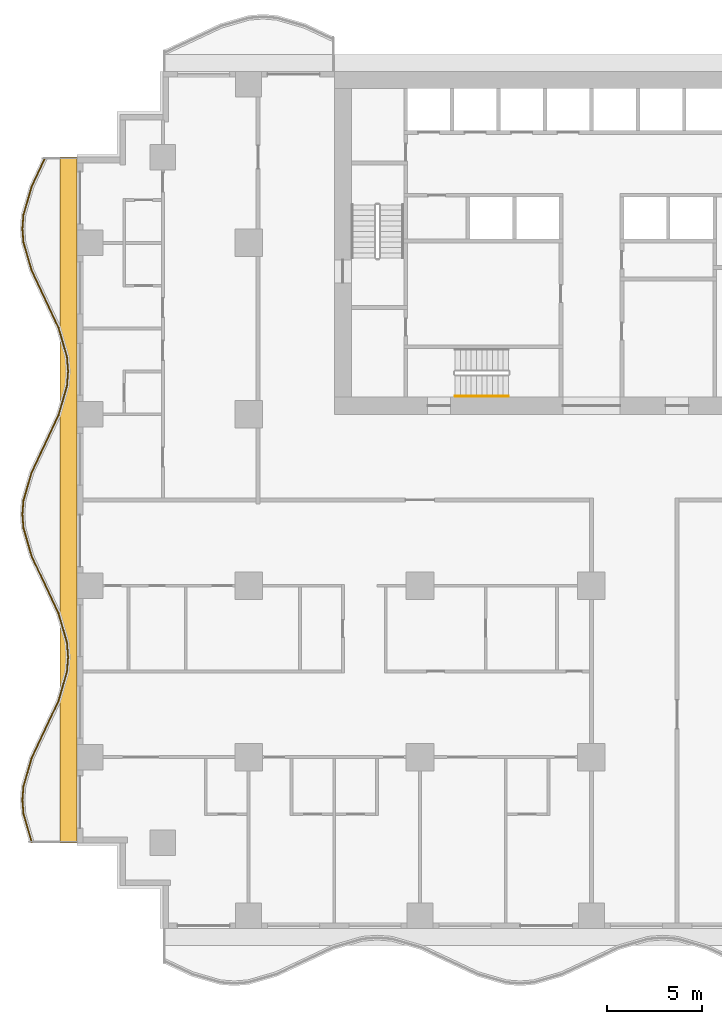
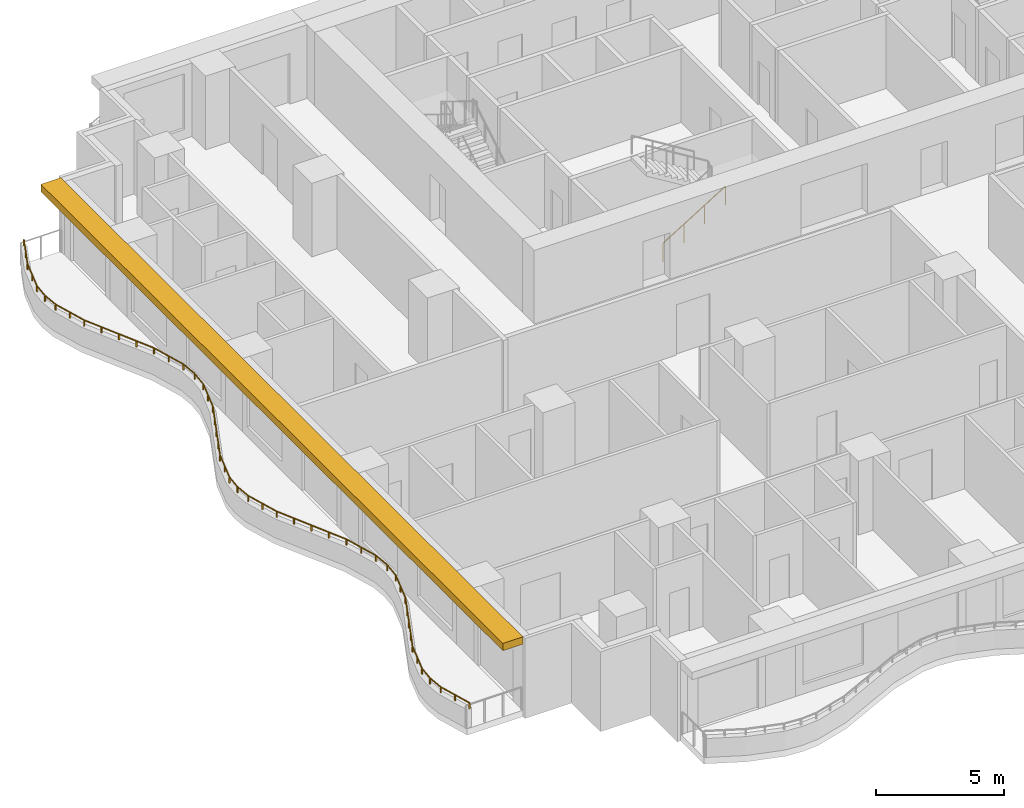
# One storey, part 8 of 13: 2 railings, 1 shading device.
"""IFC4 building model written with IfcOpenShell, lengths in metres."""

from ifc_helpers import new_model, si_unit, direction, frame, origin, origin_2d, place, context, subcontext, project, spatial, polyline, rectangle, circle, outline, extrude, material, layer, layer_set, type_object, element, save


model = new_model("IFC4")

# Units and contexts
model_context = context("Model", 3, precision=1e-05, world=origin(), true_north=direction((0.0, 1.0)))
body_context = subcontext(model_context, "Body", "Model", "MODEL_VIEW")
ifc_project = project(units=[si_unit("LENGTHUNIT", "METRE"), si_unit("AREAUNIT", "SQUARE_METRE"), si_unit("VOLUMEUNIT", "CUBIC_METRE"), si_unit("PLANEANGLEUNIT", "RADIAN"), si_unit("MASSUNIT", "GRAM", prefix="KILO")], contexts=[model_context])

# Site, building, storey
site_placement = place(None, origin())
site = spatial("IfcSite", under=ifc_project, at=site_placement, CompositionType="ELEMENT")
building_placement = place(site_placement, origin())
building = spatial("IfcBuilding", under=site, at=building_placement, Name="Orbiselva Terraces", CompositionType="ELEMENT")
storey_placement = place(building_placement, frame((0.0, 0.0, 77.0)))
storey = spatial("IfcBuildingStorey", under=building, at=storey_placement, Name="L19", CompositionType="ELEMENT", Elevation=77.0)

# Railings
ifc_material_1 = material(Name="Stainless steel", Category="steel")
railing_type_1 = type_object("IfcRailingType", Name="CORE-HANDRAIL-900", PredefinedType="HANDRAIL", material=ifc_material_1)
railing_1_placement = place(storey_placement, frame((-7.15, 5.45, 0.172727)))
element("IfcRailing", 1, at=railing_1_placement, inside=storey, type_object=railing_type_1, Name="L19 S3 stair handrail 1", PredefinedType="HANDRAIL", context=body_context, shape_type="SweptSolid", body=[
    extrude(circle(Radius=0.024, at=origin_2d()), frame((0.0, 0.0, 0.876), z_axis=(0.851088519012, 0.0, 0.52502222125), x_axis=(0.0, 1.0, 0.0)), (0.0, 0.0, 1.0), 3.289905),
    extrude(circle(Radius=0.021, at=origin_2d()), origin(), (0.0, 0.0, 1.0), 0.852),
    extrude(circle(Radius=0.021, at=origin_2d()), frame((0.933333, 0.0, 0.575758)), (0.0, 0.0, 1.0), 0.852),
    extrude(circle(Radius=0.021, at=origin_2d()), frame((1.866667, 0.0, 1.151515)), (0.0, 0.0, 1.0), 0.852),
    extrude(circle(Radius=0.021, at=origin_2d()), frame((2.8, 0.0, 1.727273)), (0.0, 0.0, 1.0), 0.852),
])
ifc_material_2 = material(Name="Bonded two-ply safety glass balustrade, stainless steel posts", Category="steel")
railing_type_2 = type_object("IfcRailingType", Name="ENV-BALUSTRADE-1200", PredefinedType="BALUSTRADE", material=ifc_material_2)
railing_2_placement = place(storey_placement, frame((-28.686882, 17.946809, 0.9)))
element("IfcRailing", 2, at=railing_2_placement, inside=storey, type_object=railing_type_2, Name="Balcony balustrade L19 W", PredefinedType="BALUSTRADE", context=body_context, shape_type="SweptSolid", body=[
    extrude(outline(polyline([(0.028868, 0.0), (0.014434, 0.025), (-0.014434, 0.025), (-0.028868, 0.0), (-0.014434, -0.025), (0.014434, -0.025), (0.028868, 0.0)])), frame((0.0, 0.0, 0.275), z_axis=(-0.425529912322, -0.904944359461, 0.0), x_axis=(0.904944359461, -0.425529912322, 0.0)), (0.0, 0.0, 1.0), 1.647746),
    extrude(outline(polyline([(0.028868, 0.0), (0.014434, 0.025), (-0.014434, 0.025), (-0.028868, 0.0), (-0.014434, -0.025), (0.014434, -0.025), (0.028868, 0.0)])), frame((-0.701165, -1.491118, 0.275), z_axis=(-0.279071528957, -0.960270317007, 0.0), x_axis=(0.960270317007, -0.279071528957, 0.0)), (0.0, 0.0, 1.0), 1.539408),
    extrude(outline(polyline([(0.028868, 0.0), (0.014434, 0.025), (-0.014434, 0.025), (-0.028868, 0.0), (-0.014434, -0.025), (0.014434, -0.025), (0.028868, 0.0)])), frame((-1.13077, -2.969366, 0.275), z_axis=(-0.078069536776, -0.996947916106, 0.0), x_axis=(0.996947916106, -0.078069536776, 0.0)), (0.0, 0.0, 1.0), 0.72967),
    extrude(outline(polyline([(0.028868, 0.0), (0.014434, 0.025), (-0.014434, 0.025), (-0.028868, 0.0), (-0.014434, -0.025), (0.014434, -0.025), (0.028868, 0.0)])), frame((-1.187735, -3.696809, 0.275), z_axis=(0.078069536776, -0.996947916106, 0.0), x_axis=(0.996947916106, 0.078069536776, 0.0)), (0.0, 0.0, 1.0), 0.72967),
    extrude(outline(polyline([(0.028868, 0.0), (0.014434, 0.025), (-0.014434, 0.025), (-0.028868, 0.0), (-0.014434, -0.025), (0.014434, -0.025), (0.028868, 0.0)])), frame((-1.13077, -4.424252, 0.275), z_axis=(0.279071528957, -0.960270317007, 0.0), x_axis=(0.960270317007, 0.279071528957, 0.0)), (0.0, 0.0, 1.0), 1.539408),
    extrude(outline(polyline([(0.028868, 0.0), (0.014434, 0.025), (-0.014434, 0.025), (-0.028868, 0.0), (-0.014434, -0.025), (0.014434, -0.025), (0.028868, 0.0)])), frame((-0.701165, -5.9025, 0.275), z_axis=(0.425529912322, -0.904944359461, 0.0), x_axis=(0.904944359461, 0.425529912322, 0.0)), (0.0, 0.0, 1.0), 1.647746),
    extrude(outline(polyline([(0.028868, 0.0), (0.014434, 0.025), (-0.014434, 0.025), (-0.028868, 0.0), (-0.014434, -0.025), (0.014434, -0.025), (0.028868, 0.0)])), frame((0.0, -7.393618, 0.275), z_axis=(0.425530342069, -0.904944157382, 0.0), x_axis=(0.904944157382, 0.425530342069, 0.0)), (0.0, 0.0, 1.0), 1.667376),
    extrude(outline(polyline([(0.028868, 0.0), (0.014434, 0.025), (-0.014434, 0.025), (-0.028868, 0.0), (-0.014434, -0.025), (0.014434, -0.025), (0.028868, 0.0)])), frame((0.709519, -8.9025, 0.275), z_axis=(0.279070928786, -0.960270491427, 0.0), x_axis=(0.960270491427, 0.279070928786, 0.0)), (0.0, 0.0, 1.0), 1.584712),
    extrude(outline(polyline([(0.028868, 0.0), (0.014434, 0.025), (-0.014434, 0.025), (-0.028868, 0.0), (-0.014434, -0.025), (0.014434, -0.025), (0.028868, 0.0)])), frame((1.151766, -10.424252, 0.275), z_axis=(0.078071061106, -0.996947796737, 0.0), x_axis=(0.996947796737, 0.078071061106, 0.0)), (0.0, 0.0, 1.0), 0.774922),
    extrude(outline(polyline([(0.028868, 0.0), (0.014434, 0.025), (-0.014434, 0.025), (-0.028868, 0.0), (-0.014434, -0.025), (0.014434, -0.025), (0.028868, 0.0)])), frame((1.212265, -11.196809, 0.275), z_axis=(-0.078071061106, -0.996947796737, 0.0), x_axis=(0.996947796737, -0.078071061106, 0.0)), (0.0, 0.0, 1.0), 0.774922),
    extrude(outline(polyline([(0.028868, 0.0), (0.014434, 0.025), (-0.014434, 0.025), (-0.028868, 0.0), (-0.014434, -0.025), (0.014434, -0.025), (0.028868, 0.0)])), frame((1.151766, -11.969366, 0.275), z_axis=(-0.279070928786, -0.960270491427, 0.0), x_axis=(0.960270491427, -0.279070928786, 0.0)), (0.0, 0.0, 1.0), 1.584712),
    extrude(outline(polyline([(0.028868, 0.0), (0.014434, 0.025), (-0.014434, 0.025), (-0.028868, 0.0), (-0.014434, -0.025), (0.014434, -0.025), (0.028868, 0.0)])), frame((0.709519, -13.491118, 0.275), z_axis=(-0.425530342069, -0.904944157382, 0.0), x_axis=(0.904944157382, -0.425530342069, 0.0)), (0.0, 0.0, 1.0), 1.667376),
    extrude(outline(polyline([(0.028868, 0.0), (0.014434, 0.025), (-0.014434, 0.025), (-0.028868, 0.0), (-0.014434, -0.025), (0.014434, -0.025), (0.028868, 0.0)])), frame((0.0, -15.0, 0.275), z_axis=(-0.425529912322, -0.904944359461, 0.0), x_axis=(0.904944359461, -0.425529912322, 0.0)), (0.0, 0.0, 1.0), 1.647746),
    extrude(outline(polyline([(0.028868, 0.0), (0.014434, 0.025), (-0.014434, 0.025), (-0.028868, 0.0), (-0.014434, -0.025), (0.014434, -0.025), (0.028868, 0.0)])), frame((-0.701165, -16.491118, 0.275), z_axis=(-0.279071528957, -0.960270317007, 0.0), x_axis=(0.960270317007, -0.279071528957, 0.0)), (0.0, 0.0, 1.0), 1.539408),
    extrude(outline(polyline([(0.028868, 0.0), (0.014434, 0.025), (-0.014434, 0.025), (-0.028868, 0.0), (-0.014434, -0.025), (0.014434, -0.025), (0.028868, 0.0)])), frame((-1.13077, -17.969366, 0.275), z_axis=(-0.078069536776, -0.996947916106, 0.0), x_axis=(0.996947916106, -0.078069536776, 0.0)), (0.0, 0.0, 1.0), 0.72967),
    extrude(outline(polyline([(0.028868, 0.0), (0.014434, 0.025), (-0.014434, 0.025), (-0.028868, 0.0), (-0.014434, -0.025), (0.014434, -0.025), (0.028868, 0.0)])), frame((-1.187735, -18.696809, 0.275), z_axis=(0.078069536776, -0.996947916106, 0.0), x_axis=(0.996947916106, 0.078069536776, 0.0)), (0.0, 0.0, 1.0), 0.72967),
    extrude(outline(polyline([(0.028868, 0.0), (0.014434, 0.025), (-0.014434, 0.025), (-0.028868, 0.0), (-0.014434, -0.025), (0.014434, -0.025), (0.028868, 0.0)])), frame((-1.13077, -19.424252, 0.275), z_axis=(0.279071528957, -0.960270317007, 0.0), x_axis=(0.960270317007, 0.279071528957, 0.0)), (0.0, 0.0, 1.0), 1.539408),
    extrude(outline(polyline([(0.028868, 0.0), (0.014434, 0.025), (-0.014434, 0.025), (-0.028868, 0.0), (-0.014434, -0.025), (0.014434, -0.025), (0.028868, 0.0)])), frame((-0.701165, -20.9025, 0.275), z_axis=(0.425529912322, -0.904944359461, 0.0), x_axis=(0.904944359461, 0.425529912322, 0.0)), (0.0, 0.0, 1.0), 1.647746),
    extrude(outline(polyline([(0.028868, 0.0), (0.014434, 0.025), (-0.014434, 0.025), (-0.028868, 0.0), (-0.014434, -0.025), (0.014434, -0.025), (0.028868, 0.0)])), frame((0.0, -22.393618, 0.275), z_axis=(0.425530342069, -0.904944157382, 0.0), x_axis=(0.904944157382, 0.425530342069, 0.0)), (0.0, 0.0, 1.0), 1.667376),
    extrude(outline(polyline([(0.028868, 0.0), (0.014434, 0.025), (-0.014434, 0.025), (-0.028868, 0.0), (-0.014434, -0.025), (0.014434, -0.025), (0.028868, 0.0)])), frame((0.709519, -23.9025, 0.275), z_axis=(0.279070928786, -0.960270491427, 0.0), x_axis=(0.960270491427, 0.279070928786, 0.0)), (0.0, 0.0, 1.0), 1.584712),
    extrude(outline(polyline([(0.028868, 0.0), (0.014434, 0.025), (-0.014434, 0.025), (-0.028868, 0.0), (-0.014434, -0.025), (0.014434, -0.025), (0.028868, 0.0)])), frame((1.151766, -25.424252, 0.275), z_axis=(0.078071061106, -0.996947796737, 0.0), x_axis=(0.996947796737, 0.078071061106, 0.0)), (0.0, 0.0, 1.0), 0.774922),
    extrude(outline(polyline([(0.028868, 0.0), (0.014434, 0.025), (-0.014434, 0.025), (-0.028868, 0.0), (-0.014434, -0.025), (0.014434, -0.025), (0.028868, 0.0)])), frame((1.212265, -26.196809, 0.275), z_axis=(-0.078071061106, -0.996947796737, 0.0), x_axis=(0.996947796737, -0.078071061106, 0.0)), (0.0, 0.0, 1.0), 0.774922),
    extrude(outline(polyline([(0.028868, 0.0), (0.014434, 0.025), (-0.014434, 0.025), (-0.028868, 0.0), (-0.014434, -0.025), (0.014434, -0.025), (0.028868, 0.0)])), frame((1.151766, -26.969366, 0.275), z_axis=(-0.279070928786, -0.960270491427, 0.0), x_axis=(0.960270491427, -0.279070928786, 0.0)), (0.0, 0.0, 1.0), 1.584712),
    extrude(outline(polyline([(0.028868, 0.0), (0.014434, 0.025), (-0.014434, 0.025), (-0.028868, 0.0), (-0.014434, -0.025), (0.014434, -0.025), (0.028868, 0.0)])), frame((0.709519, -28.491118, 0.275), z_axis=(-0.425530342069, -0.904944157382, 0.0), x_axis=(0.904944157382, -0.425530342069, 0.0)), (0.0, 0.0, 1.0), 1.667376),
    extrude(outline(polyline([(0.028868, 0.0), (0.014434, 0.025), (-0.014434, 0.025), (-0.028868, 0.0), (-0.014434, -0.025), (0.014434, -0.025), (0.028868, 0.0)])), frame((0.0, -30.0, 0.275), z_axis=(-0.425529912322, -0.904944359461, 0.0), x_axis=(0.904944359461, -0.425529912322, 0.0)), (0.0, 0.0, 1.0), 1.647746),
    extrude(outline(polyline([(0.028868, 0.0), (0.014434, 0.025), (-0.014434, 0.025), (-0.028868, 0.0), (-0.014434, -0.025), (0.014434, -0.025), (0.028868, 0.0)])), frame((-0.701165, -31.491118, 0.275), z_axis=(-0.279071528957, -0.960270317007, 0.0), x_axis=(0.960270317007, -0.279071528957, 0.0)), (0.0, 0.0, 1.0), 1.539408),
    extrude(outline(polyline([(0.028868, 0.0), (0.014434, 0.025), (-0.014434, 0.025), (-0.028868, 0.0), (-0.014434, -0.025), (0.014434, -0.025), (0.028868, 0.0)])), frame((-1.13077, -32.969366, 0.275), z_axis=(-0.078069536776, -0.996947916106, 0.0), x_axis=(0.996947916106, -0.078069536776, 0.0)), (0.0, 0.0, 1.0), 0.72967),
    extrude(outline(polyline([(0.028868, 0.0), (0.014434, 0.025), (-0.014434, 0.025), (-0.028868, 0.0), (-0.014434, -0.025), (0.014434, -0.025), (0.028868, 0.0)])), frame((-1.187735, -33.696809, 0.275), z_axis=(0.078069536776, -0.996947916106, 0.0), x_axis=(0.996947916106, 0.078069536776, 0.0)), (0.0, 0.0, 1.0), 0.72967),
    extrude(outline(polyline([(0.028868, 0.0), (0.014434, 0.025), (-0.014434, 0.025), (-0.028868, 0.0), (-0.014434, -0.025), (0.014434, -0.025), (0.028868, 0.0)])), frame((-1.13077, -34.424252, 0.275), z_axis=(0.279071486336, -0.960270329394, 0.0), x_axis=(0.960270329394, 0.279071486336, 0.0)), (0.0, 0.0, 1.0), 1.549223),
    extrude(rectangle(XDim=0.05, YDim=0.05, at=origin_2d()), origin(), (0.0, 0.0, 1.0), 0.25),
    extrude(rectangle(XDim=0.05, YDim=0.05, at=origin_2d()), frame((-0.350582, -0.745559, 0.0)), (0.0, 0.0, 1.0), 0.25),
    extrude(rectangle(XDim=0.05, YDim=0.05, at=origin_2d()), frame((-0.701165, -1.491118, 0.0)), (0.0, 0.0, 1.0), 0.25),
    extrude(rectangle(XDim=0.05, YDim=0.05, at=origin_2d()), frame((-0.915967, -2.230242, 0.0)), (0.0, 0.0, 1.0), 0.25),
    extrude(rectangle(XDim=0.05, YDim=0.05, at=origin_2d()), frame((-1.13077, -2.969366, 0.0)), (0.0, 0.0, 1.0), 0.25),
    extrude(rectangle(XDim=0.05, YDim=0.05, at=origin_2d()), frame((-1.187735, -3.696809, 0.0)), (0.0, 0.0, 1.0), 0.25),
    extrude(rectangle(XDim=0.05, YDim=0.05, at=origin_2d()), frame((-1.13077, -4.424252, 0.0)), (0.0, 0.0, 1.0), 0.25),
    extrude(rectangle(XDim=0.05, YDim=0.05, at=origin_2d()), frame((-0.915967, -5.163376, 0.0)), (0.0, 0.0, 1.0), 0.25),
    extrude(rectangle(XDim=0.05, YDim=0.05, at=origin_2d()), frame((-0.701165, -5.9025, 0.0)), (0.0, 0.0, 1.0), 0.25),
    extrude(rectangle(XDim=0.05, YDim=0.05, at=origin_2d()), frame((-0.350582, -6.648059, 0.0)), (0.0, 0.0, 1.0), 0.25),
    extrude(rectangle(XDim=0.05, YDim=0.05, at=origin_2d()), frame((0.0, -7.393618, 0.0)), (0.0, 0.0, 1.0), 0.25),
    extrude(rectangle(XDim=0.05, YDim=0.05, at=origin_2d()), frame((0.35476, -8.148059, 0.0)), (0.0, 0.0, 1.0), 0.25),
    extrude(rectangle(XDim=0.05, YDim=0.05, at=origin_2d()), frame((0.709519, -8.9025, 0.0)), (0.0, 0.0, 1.0), 0.25),
    extrude(rectangle(XDim=0.05, YDim=0.05, at=origin_2d()), frame((0.930643, -9.663376, 0.0)), (0.0, 0.0, 1.0), 0.25),
    extrude(rectangle(XDim=0.05, YDim=0.05, at=origin_2d()), frame((1.151766, -10.424252, 0.0)), (0.0, 0.0, 1.0), 0.25),
    extrude(rectangle(XDim=0.05, YDim=0.05, at=origin_2d()), frame((1.212265, -11.196809, 0.0)), (0.0, 0.0, 1.0), 0.25),
    extrude(rectangle(XDim=0.05, YDim=0.05, at=origin_2d()), frame((1.151766, -11.969366, 0.0)), (0.0, 0.0, 1.0), 0.25),
    extrude(rectangle(XDim=0.05, YDim=0.05, at=origin_2d()), frame((0.930643, -12.730242, 0.0)), (0.0, 0.0, 1.0), 0.25),
    extrude(rectangle(XDim=0.05, YDim=0.05, at=origin_2d()), frame((0.709519, -13.491118, 0.0)), (0.0, 0.0, 1.0), 0.25),
    extrude(rectangle(XDim=0.05, YDim=0.05, at=origin_2d()), frame((0.35476, -14.245559, 0.0)), (0.0, 0.0, 1.0), 0.25),
    extrude(rectangle(XDim=0.05, YDim=0.05, at=origin_2d()), frame((0.0, -15.0, 0.0)), (0.0, 0.0, 1.0), 0.25),
    extrude(rectangle(XDim=0.05, YDim=0.05, at=origin_2d()), frame((-0.350582, -15.745559, 0.0)), (0.0, 0.0, 1.0), 0.25),
    extrude(rectangle(XDim=0.05, YDim=0.05, at=origin_2d()), frame((-0.701165, -16.491118, 0.0)), (0.0, 0.0, 1.0), 0.25),
    extrude(rectangle(XDim=0.05, YDim=0.05, at=origin_2d()), frame((-0.915967, -17.230242, 0.0)), (0.0, 0.0, 1.0), 0.25),
    extrude(rectangle(XDim=0.05, YDim=0.05, at=origin_2d()), frame((-1.13077, -17.969366, 0.0)), (0.0, 0.0, 1.0), 0.25),
    extrude(rectangle(XDim=0.05, YDim=0.05, at=origin_2d()), frame((-1.187735, -18.696809, 0.0)), (0.0, 0.0, 1.0), 0.25),
    extrude(rectangle(XDim=0.05, YDim=0.05, at=origin_2d()), frame((-1.13077, -19.424252, 0.0)), (0.0, 0.0, 1.0), 0.25),
    extrude(rectangle(XDim=0.05, YDim=0.05, at=origin_2d()), frame((-0.915967, -20.163376, 0.0)), (0.0, 0.0, 1.0), 0.25),
    extrude(rectangle(XDim=0.05, YDim=0.05, at=origin_2d()), frame((-0.701165, -20.9025, 0.0)), (0.0, 0.0, 1.0), 0.25),
    extrude(rectangle(XDim=0.05, YDim=0.05, at=origin_2d()), frame((-0.350582, -21.648059, 0.0)), (0.0, 0.0, 1.0), 0.25),
    extrude(rectangle(XDim=0.05, YDim=0.05, at=origin_2d()), frame((0.0, -22.393618, 0.0)), (0.0, 0.0, 1.0), 0.25),
    extrude(rectangle(XDim=0.05, YDim=0.05, at=origin_2d()), frame((0.35476, -23.148059, 0.0)), (0.0, 0.0, 1.0), 0.25),
    extrude(rectangle(XDim=0.05, YDim=0.05, at=origin_2d()), frame((0.709519, -23.9025, 0.0)), (0.0, 0.0, 1.0), 0.25),
    extrude(rectangle(XDim=0.05, YDim=0.05, at=origin_2d()), frame((0.930643, -24.663376, 0.0)), (0.0, 0.0, 1.0), 0.25),
    extrude(rectangle(XDim=0.05, YDim=0.05, at=origin_2d()), frame((1.151766, -25.424252, 0.0)), (0.0, 0.0, 1.0), 0.25),
    extrude(rectangle(XDim=0.05, YDim=0.05, at=origin_2d()), frame((1.212265, -26.196809, 0.0)), (0.0, 0.0, 1.0), 0.25),
    extrude(rectangle(XDim=0.05, YDim=0.05, at=origin_2d()), frame((1.151766, -26.969366, 0.0)), (0.0, 0.0, 1.0), 0.25),
    extrude(rectangle(XDim=0.05, YDim=0.05, at=origin_2d()), frame((0.930643, -27.730242, 0.0)), (0.0, 0.0, 1.0), 0.25),
    extrude(rectangle(XDim=0.05, YDim=0.05, at=origin_2d()), frame((0.709519, -28.491118, 0.0)), (0.0, 0.0, 1.0), 0.25),
    extrude(rectangle(XDim=0.05, YDim=0.05, at=origin_2d()), frame((0.35476, -29.245559, 0.0)), (0.0, 0.0, 1.0), 0.25),
    extrude(rectangle(XDim=0.05, YDim=0.05, at=origin_2d()), frame((0.0, -30.0, 0.0)), (0.0, 0.0, 1.0), 0.25),
    extrude(rectangle(XDim=0.05, YDim=0.05, at=origin_2d()), frame((-0.350582, -30.745559, 0.0)), (0.0, 0.0, 1.0), 0.25),
    extrude(rectangle(XDim=0.05, YDim=0.05, at=origin_2d()), frame((-0.701165, -31.491118, 0.0)), (0.0, 0.0, 1.0), 0.25),
    extrude(rectangle(XDim=0.05, YDim=0.05, at=origin_2d()), frame((-0.915967, -32.230242, 0.0)), (0.0, 0.0, 1.0), 0.25),
    extrude(rectangle(XDim=0.05, YDim=0.05, at=origin_2d()), frame((-1.13077, -32.969366, 0.0)), (0.0, 0.0, 1.0), 0.25),
    extrude(rectangle(XDim=0.05, YDim=0.05, at=origin_2d()), frame((-1.187735, -33.696809, 0.0)), (0.0, 0.0, 1.0), 0.25),
    extrude(rectangle(XDim=0.05, YDim=0.05, at=origin_2d()), frame((-1.13077, -34.424252, 0.0)), (0.0, 0.0, 1.0), 0.25),
    extrude(rectangle(XDim=0.05, YDim=0.05, at=origin_2d()), frame((-0.914598, -35.168088, 0.0)), (0.0, 0.0, 1.0), 0.25),
    extrude(rectangle(XDim=0.05, YDim=0.05, at=origin_2d()), frame((-0.698426, -35.911925, 0.0)), (0.0, 0.0, 1.0), 0.25),
])

# Shading device
ifc_material_3 = material(Name="Terracotta baguette sunshade", Category="masonry")
ifc_layer = layer(ifc_material_3, 0.35)
ifc_layer_set = layer_set([ifc_layer], Name="Terracotta baguette sunshade")
shading_device_type = type_object("IfcShadingDeviceType", Name="ENV-SUNSHADE-900x350", PredefinedType="USERDEFINED", material=ifc_layer_set)
shading_device_placement = place(storey_placement, frame((0.0, 0.0, 3.15)))
element("IfcShadingDevice", 3, at=shading_device_placement, inside=storey, type_object=shading_device_type, Name="Sunshade band L19 W", ObjectType="SUNSHADE", PredefinedType="USERDEFINED", context=body_context, shape_type="SweptSolid", body=[
    extrude(outline(polyline([(-27.9, 18.0), (-27.9, -18.0), (-27.0, -18.0), (-27.0, 18.0), (-27.9, 18.0)])), origin(), (0.0, 0.0, 1.0), 0.35),
])

save(model, "model.ifc")
